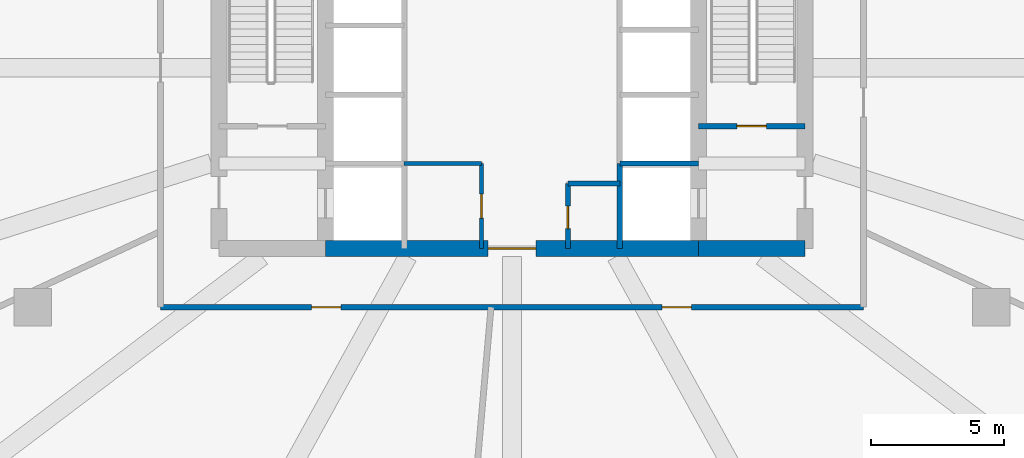
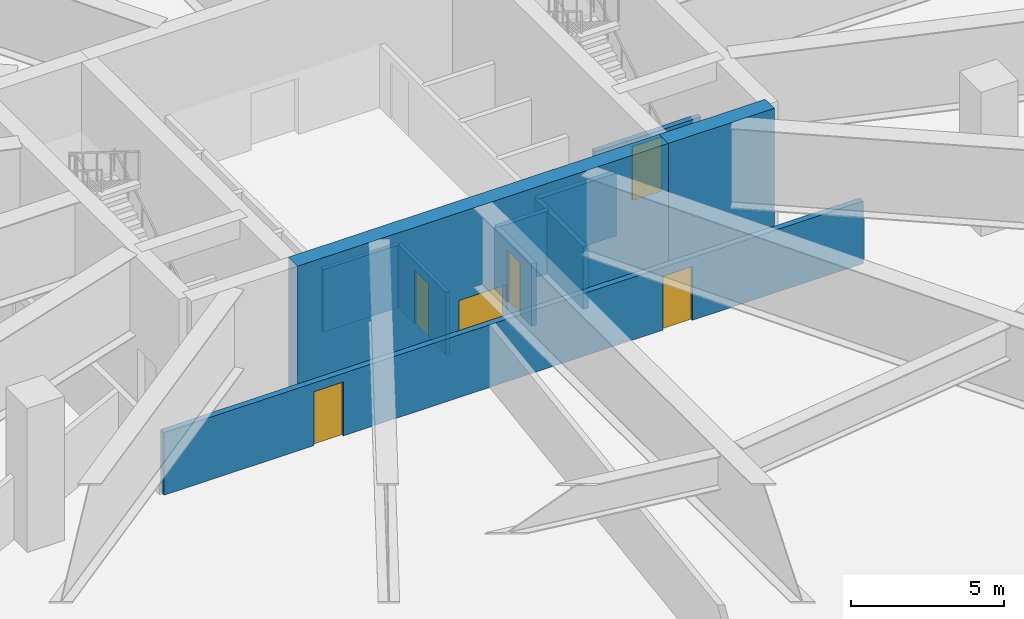
# One storey, part 4 of 9: 10 walls, 6 doors, 6 openings.
"""IFC4 building model written with IfcOpenShell, lengths in metres."""

from ifc_helpers import new_model, si_unit, direction, frame, frame_2d, origin, place, context, subcontext, project, spatial, rectangle, extrude, material, layer, layer_set, type_object, element, fill, save


model = new_model("IFC4")

# Units and contexts
model_context = context("Model", 3, precision=1e-05, world=origin(), true_north=direction((0.0, 1.0)))
body_context = subcontext(model_context, "Body", "Model", "MODEL_VIEW")
ifc_project = project(units=[si_unit("LENGTHUNIT", "METRE"), si_unit("AREAUNIT", "SQUARE_METRE"), si_unit("VOLUMEUNIT", "CUBIC_METRE"), si_unit("PLANEANGLEUNIT", "RADIAN"), si_unit("MASSUNIT", "GRAM", prefix="KILO")], contexts=[model_context])

# Site, building, storey
site_placement = place(None, origin())
site = spatial("IfcSite", under=ifc_project, at=site_placement, CompositionType="ELEMENT")
building_placement = place(site_placement, origin())
building = spatial("IfcBuilding", under=site, at=building_placement, Name="Sarneth Arch Tower", CompositionType="ELEMENT")
storey_placement = place(building_placement, frame((0.0, 0.0, 22.199951171875)))
storey = spatial("IfcBuildingStorey", under=building, at=storey_placement, Name="L04", CompositionType="ELEMENT", Elevation=22.199951171875)

# Wall, opening, door
ifc_material_1 = material(Name="Concrete C60/75", Category="concrete")
ifc_layer_1 = layer(ifc_material_1, 0.60009765625)
ifc_layer_set_1 = layer_set([ifc_layer_1], Name="Concrete C60/75")
wall_type_1 = type_object("IfcWallType", Name="WALL-CORE-600", PredefinedType="SHEAR", material=ifc_layer_set_1)
wall_1_placement = place(storey_placement, frame((41.0, 35.199951171875, 0.0), z_axis=(0.0, 0.0, 1.0), x_axis=(1.0, 0.0, 0.0)))
wall_1 = element("IfcWall", 1, at=wall_1_placement, inside=storey, type_object=wall_type_1, Name="L04 Core shear wall S-M", PredefinedType="SHEAR", context=body_context, shape_type="SweptSolid", body=[
    extrude(rectangle(XDim=14.0, YDim=0.60009765625, at=frame_2d((7.0, 0.0))), origin(), (0.0, 0.0, 1.0), 5.75),
])
opening_1_placement = place(wall_1_placement, frame((6.10009765625, 0.0, 0.0)))
opening_1 = element("IfcOpeningElement", 2, at=opening_1_placement, cuts=wall_1, Name="Opening FD-01", PredefinedType="OPENING", context=body_context, shape_type="SweptSolid", body=[
    extrude(rectangle(XDim=1.800048828125, YDim=2.25, at=frame_2d((0.89990234375, 1.125))), frame((0.0, 0.31005859375, 0.0), z_axis=(0.0, -1.0, 0.0), x_axis=(1.0, 0.0, 0.0)), (0.0, 0.0, 1.0), 0.6201171875),
])
ifc_material_2 = material(Name="Galvanised Steel S275 fire door set", Category="steel")
door_type_1 = type_object("IfcDoorType", Name="DR-FD90-1800", OperationType="DOUBLE_DOOR_SINGLE_SWING", PredefinedType="DOOR", material=ifc_material_2)
door_1_placement = place(opening_1_placement, origin())
door_1 = element("IfcDoor", 3, at=door_1_placement, inside=storey, type_object=door_type_1, Name="L04 Central lift lobby south door", OperationType="DOUBLE_DOOR_SINGLE_SWING", OverallHeight=2.25, OverallWidth=1.800048828125, PredefinedType="DOOR", context=body_context, shape_type="SweptSolid", body=[
    extrude(rectangle(XDim=1.800048828125, YDim=2.25, at=frame_2d((0.89990234375, 1.125))), frame((0.0, 0.02490234375, 0.0), z_axis=(0.0, -1.0, 0.0), x_axis=(1.0, 0.0, 0.0)), (0.0, 0.0, 1.0), 0.050048828125),
])
fill(opening_1, door_1)

# Wall
wall_2_placement = place(storey_placement, frame((55.0, 35.199951171875, 0.0), z_axis=(0.0, 0.0, 1.0), x_axis=(1.0, 0.0, 0.0)))
element("IfcWall", 4, at=wall_2_placement, inside=storey, type_object=wall_type_1, Name="L04 Core shear wall S-E", PredefinedType="SHEAR", context=body_context, shape_type="SweptSolid", body=[
    extrude(rectangle(XDim=4.0, YDim=0.60009765625, at=frame_2d((2.0, 0.0))), origin(), (0.0, 0.0, 1.0), 5.75),
])

# Wall, openings, doors
ifc_material_3 = material(Name="Aerated concrete blockwork C25/30", Category="masonry")
ifc_layer_2 = layer(ifc_material_3, 0.219970703125)
ifc_layer_set_2 = layer_set([ifc_layer_2], Name="Aerated concrete blockwork C25/30")
wall_type_2 = type_object("IfcWallType", Name="WALL-FIRE-220", PredefinedType="SOLIDWALL", material=ifc_layer_set_2)
wall_3_placement = place(storey_placement, frame((61.199951171875, 33.0, 0.0), z_axis=(0.0, 0.0, 1.0), x_axis=(-1.0, 0.0, 0.0)))
wall_3 = element("IfcWall", 5, at=wall_3_placement, inside=storey, type_object=wall_type_2, Name="L04 Interior partition W-L04-TP-009", PredefinedType="SOLIDWALL", context=body_context, shape_type="SweptSolid", body=[
    extrude(rectangle(XDim=26.39990234375, YDim=0.219970703125, at=frame_2d((13.199951171875, 0.0))), origin(), (0.0, 0.0, 1.0), 2.5),
])
opening_2_placement = place(wall_3_placement, frame((6.459716796875, 0.0, 0.0)))
opening_2 = element("IfcOpeningElement", 6, at=opening_2_placement, cuts=wall_3, Name="Opening FD-03", PredefinedType="OPENING", context=body_context, shape_type="SweptSolid", body=[
    extrude(rectangle(XDim=1.10009765625, YDim=2.14990234375, at=frame_2d((0.550048828125, 1.074951171875))), frame((0.0, 0.119873046875, 0.0), z_axis=(0.0, -1.0, 0.0), x_axis=(1.0, 0.0, 0.0)), (0.0, 0.0, 1.0), 0.239990234375),
])
opening_3_placement = place(wall_3_placement, frame((19.627685546875, 0.0, 0.0)))
opening_3 = element("IfcOpeningElement", 7, at=opening_3_placement, cuts=wall_3, Name="Opening FD-03", PredefinedType="OPENING", context=body_context, shape_type="SweptSolid", body=[
    extrude(rectangle(XDim=1.10009765625, YDim=2.14990234375, at=frame_2d((0.550048828125, 1.074951171875))), frame((0.0, 0.119873046875, 0.0), z_axis=(0.0, -1.0, 0.0), x_axis=(1.0, 0.0, 0.0)), (0.0, 0.0, 1.0), 0.239990234375),
])
ifc_material_4 = material(Name="Galvanised Steel S275 fire door set", Category="steel")
door_type_2 = type_object("IfcDoorType", Name="DR-FD90-1100", OperationType="SINGLE_SWING_LEFT", PredefinedType="DOOR", material=ifc_material_4)
door_2_placement = place(opening_2_placement, origin())
door_2 = element("IfcDoor", 8, at=door_2_placement, inside=storey, type_object=door_type_2, Name="L04 Interior door DR-L04-PSEC-5", OperationType="SINGLE_SWING_RIGHT", OverallHeight=2.14990234375, OverallWidth=1.10009765625, PredefinedType="DOOR", context=body_context, shape_type="SweptSolid", body=[
    extrude(rectangle(XDim=1.10009765625, YDim=2.14990234375, at=frame_2d((0.550048828125, 1.074951171875))), frame((0.0, 0.02490234375, 0.0), z_axis=(0.0, -1.0, 0.0), x_axis=(1.0, 0.0, 0.0)), (0.0, 0.0, 1.0), 0.050048828125),
])
fill(opening_2, door_2)
door_3_placement = place(opening_3_placement, origin())
door_3 = element("IfcDoor", 9, at=door_3_placement, inside=storey, type_object=door_type_2, Name="L04 Interior door DR-L04-PSEC-4", OperationType="SINGLE_SWING_RIGHT", OverallHeight=2.14990234375, OverallWidth=1.10009765625, PredefinedType="DOOR", context=body_context, shape_type="SweptSolid", body=[
    extrude(rectangle(XDim=1.10009765625, YDim=2.14990234375, at=frame_2d((0.550048828125, 1.074951171875))), frame((0.0, 0.02490234375, 0.0), z_axis=(0.0, -1.0, 0.0), x_axis=(1.0, 0.0, 0.0)), (0.0, 0.0, 1.0), 0.050048828125),
])
fill(opening_3, door_3)

# Wall
ifc_material_5 = material(Name="Acoustic gypsum stud partition", Category="gypsum")
ifc_layer_3 = layer(ifc_material_5, 0.14990234375)
ifc_layer_set_3 = layer_set([ifc_layer_3], Name="Acoustic gypsum stud partition")
wall_type_3 = type_object("IfcWallType", Name="WALL-PART-150", PredefinedType="PARTITIONING", material=ifc_layer_set_3)
wall_4_placement = place(storey_placement, frame((43.949951171875, 38.39990234375, 0.0), z_axis=(0.0, 0.0, 1.0), x_axis=(1.0, 0.0, 0.0)))
element("IfcWall", 10, at=wall_4_placement, inside=storey, type_object=wall_type_3, Name="L04 Interior partition W-L04-CSUP1-N", PredefinedType="PARTITIONING", context=body_context, shape_type="SweptSolid", body=[
    extrude(rectangle(XDim=2.900146484375, YDim=0.14990234375, at=frame_2d((1.4501953125, 0.0))), origin(), (0.0, 0.0, 1.0), 2.5),
])

# Wall, opening, door
wall_5_placement = place(storey_placement, frame((46.85009765625, 35.199951171875, 0.0), z_axis=(0.0, 0.0, 1.0), x_axis=(0.0, 1.0, 0.0)))
wall_5 = element("IfcWall", 11, at=wall_5_placement, inside=storey, type_object=wall_type_3, Name="L04 Interior partition W-L04-CSUP1-E", PredefinedType="PARTITIONING", context=body_context, shape_type="SweptSolid", body=[
    extrude(rectangle(XDim=3.199951171875, YDim=0.14990234375, at=frame_2d((1.60009765625, 0.0))), origin(), (0.0, 0.0, 1.0), 2.5),
])
opening_4_placement = place(wall_5_placement, frame((1.14990234375, 0.0, 0.0)))
opening_4 = element("IfcOpeningElement", 12, at=opening_4_placement, cuts=wall_5, Name="Opening FD-10", PredefinedType="OPENING", context=body_context, shape_type="SweptSolid", body=[
    extrude(rectangle(XDim=0.89990234375, YDim=2.14990234375, at=frame_2d((0.449951171875, 1.074951171875))), frame((0.0, 0.0849609375, 0.0), z_axis=(0.0, -1.0, 0.0), x_axis=(1.0, 0.0, 0.0)), (0.0, 0.0, 1.0), 0.169921875),
])
ifc_material_6 = material(Name="Galvanised Steel S275 riser/service fire door", Category="steel")
door_type_3 = type_object("IfcDoorType", Name="DR-FD60-900", OperationType="SINGLE_SWING_LEFT", PredefinedType="DOOR", material=ifc_material_6)
door_4_placement = place(opening_4_placement, origin())
door_4 = element("IfcDoor", 13, at=door_4_placement, inside=storey, type_object=door_type_3, Name="L04 Interior door DR-L04-CSUP1", OperationType="SINGLE_SWING_LEFT", OverallHeight=2.14990234375, OverallWidth=0.89990234375, PredefinedType="DOOR", context=body_context, shape_type="SweptSolid", body=[
    extrude(rectangle(XDim=0.89990234375, YDim=2.14990234375, at=frame_2d((0.449951171875, 1.074951171875))), frame((0.0, 0.02490234375, 0.0), z_axis=(0.0, -1.0, 0.0), x_axis=(1.0, 0.0, 0.0)), (0.0, 0.0, 1.0), 0.050048828125),
])
fill(opening_4, door_4)

# Wall
ifc_material_7 = material(Name="Moisture-resistant plumbing chase wall", Category="gypsum")
ifc_layer_4 = layer(ifc_material_7, 0.179931640625)
ifc_layer_set_4 = layer_set([ifc_layer_4], Name="Moisture-resistant plumbing chase wall")
wall_type_4 = type_object("IfcWallType", Name="WALL-PLUMB-180", PredefinedType="PLUMBINGWALL", material=ifc_layer_set_4)
wall_6_placement = place(storey_placement, frame((50.10009765625, 37.64990234375, 0.0), z_axis=(0.0, 0.0, 1.0), x_axis=(1.0, 0.0, 0.0)))
element("IfcWall", 14, at=wall_6_placement, inside=storey, type_object=wall_type_4, Name="L04 Interior partition W-L04-AWC-N", PredefinedType="PLUMBINGWALL", context=body_context, shape_type="SweptSolid", body=[
    extrude(rectangle(XDim=1.949951171875, YDim=0.179931640625, at=frame_2d((0.97509765625, 0.0))), origin(), (0.0, 0.0, 1.0), 2.5),
])

# Wall, opening, door
wall_7_placement = place(storey_placement, frame((50.10009765625, 35.199951171875, 0.0), z_axis=(0.0, 0.0, 1.0), x_axis=(0.0, 1.0, 0.0)))
wall_7 = element("IfcWall", 15, at=wall_7_placement, inside=storey, type_object=wall_type_4, Name="L04 Interior partition W-L04-AWC-W", PredefinedType="PLUMBINGWALL", context=body_context, shape_type="SweptSolid", body=[
    extrude(rectangle(XDim=2.449951171875, YDim=0.179931640625, at=frame_2d((1.22509765625, 0.0))), origin(), (0.0, 0.0, 1.0), 2.5),
])
opening_5_placement = place(wall_7_placement, frame((0.75, 0.0, 0.0)))
opening_5 = element("IfcOpeningElement", 16, at=opening_5_placement, cuts=wall_7, Name="Opening ID-02", PredefinedType="OPENING", context=body_context, shape_type="SweptSolid", body=[
    extrude(rectangle(XDim=0.85009765625, YDim=2.10009765625, at=frame_2d((0.425048828125, 1.050048828125))), frame((0.0, 0.099853515625, 0.0), z_axis=(0.0, -1.0, 0.0), x_axis=(1.0, 0.0, 0.0)), (0.0, 0.0, 1.0), 0.199951171875),
])
ifc_material_8 = material(Name="Moisture-resistant bathroom timber door", Category="wood")
door_type_4 = type_object("IfcDoorType", Name="DR-INT-850", OperationType="SINGLE_SWING_RIGHT", PredefinedType="DOOR", material=ifc_material_8)
door_5_placement = place(opening_5_placement, origin())
door_5 = element("IfcDoor", 17, at=door_5_placement, inside=storey, type_object=door_type_4, Name="L04 Interior door DR-L04-AWC", OperationType="SINGLE_SWING_RIGHT", OverallHeight=2.10009765625, OverallWidth=0.85009765625, PredefinedType="DOOR", context=body_context, shape_type="SweptSolid", body=[
    extrude(rectangle(XDim=0.85009765625, YDim=2.10009765625, at=frame_2d((0.425048828125, 1.050048828125))), frame((0.0, 0.02490234375, 0.0), z_axis=(0.0, -1.0, 0.0), x_axis=(1.0, 0.0, 0.0)), (0.0, 0.0, 1.0), 0.050048828125),
])
fill(opening_5, door_5)

ifc_material_9 = material(Name="Aerated concrete blockwork C25/30", Category="masonry")
ifc_layer_5 = layer(ifc_material_9, 0.199951171875)
ifc_layer_set_5 = layer_set([ifc_layer_5], Name="Aerated concrete blockwork C25/30")
wall_type_5 = type_object("IfcWallType", Name="WALL-SHAFT-200", PredefinedType="SOLIDWALL", material=ifc_layer_set_5)
wall_8_placement = place(storey_placement, frame((55.0, 39.800048828125, 0.0), z_axis=(0.0, 0.0, 1.0), x_axis=(1.0, 0.0, 0.0)))
wall_8 = element("IfcWall", 18, at=wall_8_placement, inside=storey, type_object=wall_type_5, Name="L04 Interior partition W-L04-ST2-S", PredefinedType="SOLIDWALL", context=body_context, shape_type="SweptSolid", body=[
    extrude(rectangle(XDim=4.0, YDim=0.199951171875, at=frame_2d((2.0, 0.0))), origin(), (0.0, 0.0, 1.0), 2.5),
])
opening_6_placement = place(wall_8_placement, frame((1.449951171875, 0.0, 0.0)))
opening_6 = element("IfcOpeningElement", 19, at=opening_6_placement, cuts=wall_8, Name="Opening FD-03", PredefinedType="OPENING", context=body_context, shape_type="SweptSolid", body=[
    extrude(rectangle(XDim=1.10009765625, YDim=2.14990234375, at=frame_2d((0.550048828125, 1.074951171875))), frame((0.0, 0.10986328125, 0.0), z_axis=(0.0, -1.0, 0.0), x_axis=(1.0, 0.0, 0.0)), (0.0, 0.0, 1.0), 0.219970703125),
])
door_6_placement = place(opening_6_placement, origin())
door_6 = element("IfcDoor", 20, at=door_6_placement, inside=storey, type_object=door_type_2, Name="L04 Interior door DR-L04-ST2", OperationType="SINGLE_SWING_RIGHT", OverallHeight=2.14990234375, OverallWidth=1.10009765625, PredefinedType="DOOR", context=body_context, shape_type="SweptSolid", body=[
    extrude(rectangle(XDim=1.10009765625, YDim=2.14990234375, at=frame_2d((0.550048828125, 1.074951171875))), frame((0.0, 0.02490234375, 0.0), z_axis=(0.0, -1.0, 0.0), x_axis=(1.0, 0.0, 0.0)), (0.0, 0.0, 1.0), 0.050048828125),
])
fill(opening_6, door_6)

# Walls
wall_9_placement = place(storey_placement, frame((52.050048828125, 35.199951171875, 0.0), z_axis=(0.0, 0.0, 1.0), x_axis=(0.0, 1.0, 0.0)))
element("IfcWall", 21, at=wall_9_placement, inside=storey, type_object=wall_type_5, Name="L04 Interior partition W-L04-FL2-W", PredefinedType="SOLIDWALL", context=body_context, shape_type="SweptSolid", body=[
    extrude(rectangle(XDim=3.199951171875, YDim=0.199951171875, at=frame_2d((1.60009765625, 0.0))), origin(), (0.0, 0.0, 1.0), 2.5),
])
wall_10_placement = place(storey_placement, frame((52.050048828125, 38.39990234375, 0.0), z_axis=(0.0, 0.0, 1.0), x_axis=(1.0, 0.0, 0.0)))
element("IfcWall", 22, at=wall_10_placement, inside=storey, type_object=wall_type_5, Name="L04 Interior partition W-L04-FL2-N", PredefinedType="SOLIDWALL", context=body_context, shape_type="SweptSolid", body=[
    extrude(rectangle(XDim=2.949951171875, YDim=0.199951171875, at=frame_2d((1.47509765625, 0.0))), origin(), (0.0, 0.0, 1.0), 2.5),
])

save(model, "model.ifc")
